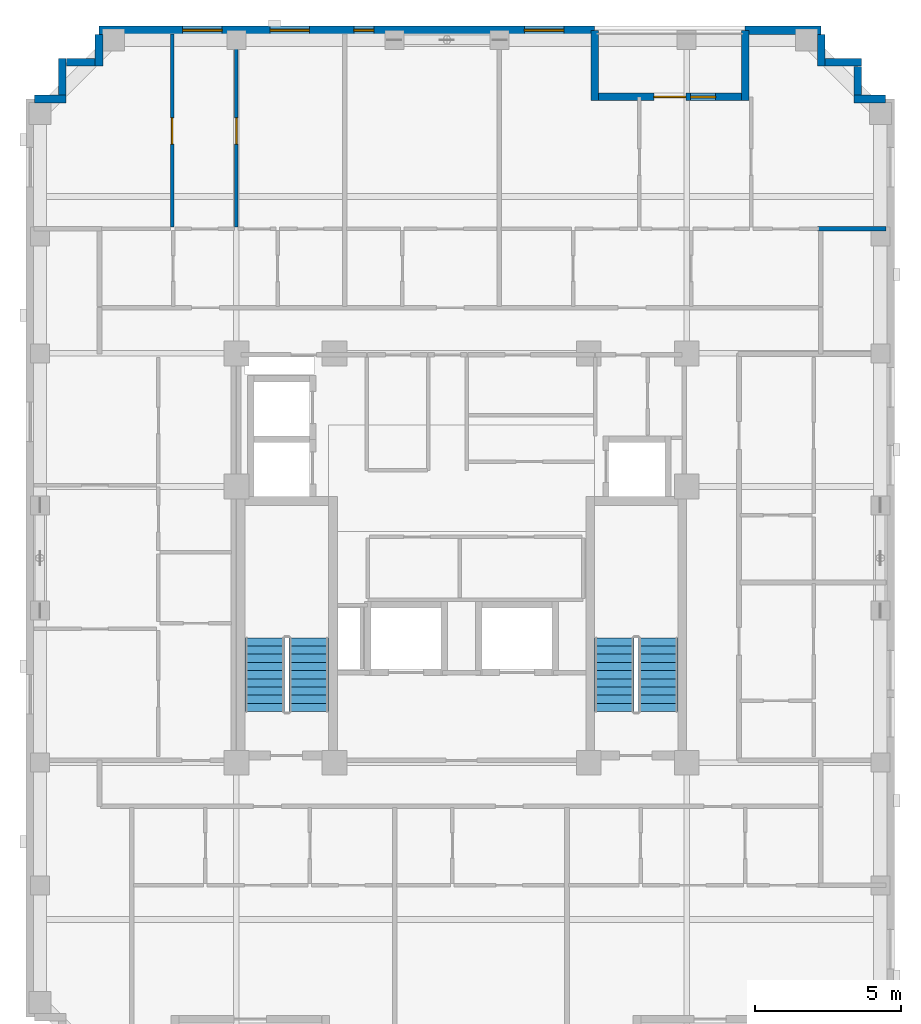
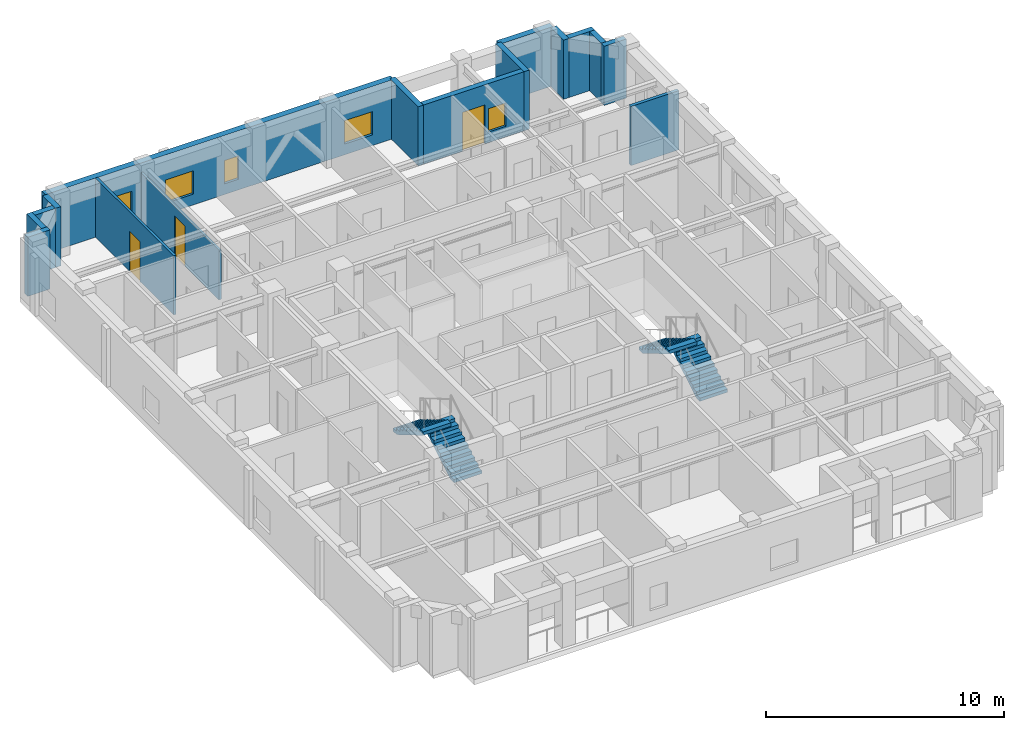
# One storey, part 7 of 11: 16 walls, 5 windows, 4 stair flights, 3 doors, 8 openings, 2 elements without a shape of their own.
"""IFC4 building model written with IfcOpenShell, lengths in metres."""

from ifc_helpers import new_model, si_unit, derived_unit, direction, frame, frame_2d, origin, place, context, subcontext, project, spatial, polyline, rectangle, outline, extrude, material, layer, layer_set, type_object, element, fill, aggregate, save


model = new_model("IFC4")

# Units and contexts
model_context = context("Model", 3, precision=1e-05, world=origin(), true_north=direction((0.0, 1.0)))
body_context = subcontext(model_context, "Body", "Model", "MODEL_VIEW")
ifc_project = project(units=[si_unit("LENGTHUNIT", "METRE"), si_unit("AREAUNIT", "SQUARE_METRE"), si_unit("VOLUMEUNIT", "CUBIC_METRE"), si_unit("PLANEANGLEUNIT", "RADIAN"), si_unit("MASSUNIT", "GRAM", prefix="KILO"), derived_unit("THERMALTRANSMITTANCEUNIT", [(si_unit("MASSUNIT", "GRAM", prefix="KILO"), 1), (si_unit("TIMEUNIT", "SECOND"), -3), (si_unit("THERMODYNAMICTEMPERATUREUNIT", "KELVIN"), -1)])], contexts=[model_context])

# Site, building, storey
site_placement = place(None, origin())
site = spatial("IfcSite", under=ifc_project, at=site_placement, CompositionType="ELEMENT")
building_placement = place(site_placement, origin())
building = spatial("IfcBuilding", under=site, at=building_placement, Name="Korrvale Station Residences", CompositionType="ELEMENT")
storey_placement = place(building_placement, frame((0.0, 0.0, 214.0)))
storey = spatial("IfcBuildingStorey", under=building, at=storey_placement, Name="L62", CompositionType="ELEMENT", Elevation=214.0)

# Wall
ifc_material_1 = material(Name="Precast concrete C45/55", Category="concrete")
ifc_layer_1 = layer(ifc_material_1, 0.260009765625, Name="Precast concrete C45/55")
ifc_layer_set_1 = layer_set([ifc_layer_1], Name="Precast concrete C45/55")
wall_type_1 = type_object("IfcWallType", Name="WAL-EXT-LOG260", PredefinedType="SOLIDWALL", material=ifc_layer_set_1)
wall_1_placement = place(storey_placement, frame((30.050048828125, 40.0400390625, 0.0), z_axis=(0.0, 0.0, 1.0), x_axis=(0.0, -1.0, 0.0)))
element("IfcWall", 1, at=wall_1_placement, inside=storey, type_object=wall_type_1, Name="L62 Recessed Loggia Wall BAL-L62-N1-L", PredefinedType="SOLIDWALL", context=body_context, shape_type="SweptSolid", body=[
    extrude(rectangle(XDim=2.400146484375, YDim=0.260009765625, at=frame_2d((1.2001953125, 0.0))), origin(), (0.0, 0.0, 1.0), 3.0400390625),
])

# Wall, openings, door, window
wall_2_placement = place(storey_placement, frame((30.18408203125, 37.77001953125, 0.0), z_axis=(0.0, 0.0, 1.0), x_axis=(1.0, 0.0, 0.0)))
wall_2 = element("IfcWall", 2, at=wall_2_placement, inside=storey, type_object=wall_type_1, Name="L62 Recessed Loggia Wall BAL-L62-N1-B", PredefinedType="SOLIDWALL", context=body_context, shape_type="SweptSolid", body=[
    extrude(rectangle(XDim=4.8818359375, YDim=0.260009765625, at=frame_2d((2.44091796875, 0.0))), origin(), (0.0, 0.0, 1.0), 3.0400390625),
])
opening_1_placement = place(wall_2_placement, frame((1.89111328125, 0.0, 0.0)))
opening_1 = element("IfcOpeningElement", 3, at=opening_1_placement, cuts=wall_2, Name="Opening BD-01", PredefinedType="OPENING", context=body_context, shape_type="SweptSolid", body=[
    extrude(rectangle(XDim=1.10009765625, YDim=2.0, at=frame_2d((0.550048828125, 1.0))), frame((0.0, 0.14013671875, 0.0), z_axis=(0.0, -1.0, 0.0), x_axis=(1.0, 0.0, 0.0)), (0.0, 0.0, 1.0), 0.280029296875),
])
opening_2_placement = place(wall_2_placement, frame((3.15087890625, 0.0, 0.550048828125)))
opening_2 = element("IfcOpeningElement", 4, at=opening_2_placement, cuts=wall_2, Name="Opening W-11", PredefinedType="OPENING", context=body_context, shape_type="SweptSolid", body=[
    extrude(rectangle(XDim=0.85009765625, YDim=1.199951171875, at=frame_2d((0.425048828125, 0.60009765625))), frame((0.0, 0.14013671875, 0.0), z_axis=(0.0, -1.0, 0.0), x_axis=(1.0, 0.0, 0.0)), (0.0, 0.0, 1.0), 0.280029296875),
])
ifc_material_2 = material(Name="Exterior thermally broken aluminium glazed balcony door", Category="aluminium")
door_type_1 = type_object("IfcDoorType", Name="DR-EXT-BAL", OperationType="NOTDEFINED", PredefinedType="DOOR", material=ifc_material_2)
door_1_placement = place(opening_1_placement, origin())
door_1 = element("IfcDoor", 5, at=door_1_placement, inside=storey, type_object=door_type_1, Name="L62 Loggia Balcony Door BAL-L62-N1", OperationType="SINGLE_SWING_LEFT", OverallHeight=2.0, OverallWidth=1.10009765625, PredefinedType="DOOR", context=body_context, shape_type="SweptSolid", body=[
    extrude(rectangle(XDim=1.10009765625, YDim=2.0, at=frame_2d((0.550048828125, 1.0))), frame((0.0, 0.02490234375, 0.0), z_axis=(0.0, -1.0, 0.0), x_axis=(1.0, 0.0, 0.0)), (0.0, 0.0, 1.0), 0.050048828125),
])
fill(opening_1, door_1)
ifc_material_3 = material(Name="Thermally broken aluminium frame with triple low-e glazing", Category="aluminium")
window_type_1 = type_object("IfcWindowType", Name="WIN-W11", PartitioningType="SINGLE_PANEL", PredefinedType="WINDOW", material=ifc_material_3)
window_1_placement = place(opening_2_placement, origin())
window_1 = element("IfcWindow", 6, at=window_1_placement, inside=storey, type_object=window_type_1, Name="L62 Punched Window 09", OverallHeight=1.199951171875, OverallWidth=0.85009765625, PartitioningType="SINGLE_PANEL", PredefinedType="WINDOW", context=body_context, shape_type="SweptSolid", body=[
    extrude(rectangle(XDim=0.85009765625, YDim=1.199951171875, at=frame_2d((0.425048828125, 0.60009765625))), frame((0.0, 0.030029296875, 0.0), z_axis=(0.0, -1.0, 0.0), x_axis=(1.0, 0.0, 0.0)), (0.0, 0.0, 1.0), 0.06005859375),
])
fill(opening_2, window_1)

# Walls
wall_3_placement = place(storey_placement, frame((35.199951171875, 37.639892578125, 0.0), z_axis=(0.0, 0.0, 1.0), x_axis=(0.0, 1.0, 0.0)))
element("IfcWall", 7, at=wall_3_placement, inside=storey, type_object=wall_type_1, Name="L62 Recessed Loggia Wall BAL-L62-N1-R", PredefinedType="SOLIDWALL", context=body_context, shape_type="SweptSolid", body=[
    extrude(rectangle(XDim=2.400146484375, YDim=0.260009765625, at=frame_2d((1.2001953125, 0.0))), origin(), (0.0, 0.0, 1.0), 3.0400390625),
])
wall_4_placement = place(storey_placement, frame((10.902099609375, 37.699951171875, 0.0), z_axis=(0.0, 0.0, 1.0), x_axis=(1.0, 0.0, 0.0)))
element("IfcWall", 8, at=wall_4_placement, inside=storey, type_object=wall_type_1, Name="L62 Serrated Corner Precast Step NW-1", PredefinedType="SOLIDWALL", context=body_context, shape_type="SweptSolid", body=[
    extrude(rectangle(XDim=1.077880859375, YDim=0.260009765625, at=frame_2d((0.5390625, 0.0))), origin(), (0.0, 0.0, 1.0), 3.0400390625),
])
wall_5_placement = place(storey_placement, frame((11.85009765625, 37.83203125, 0.0), z_axis=(0.0, 0.0, 1.0), x_axis=(0.0, 1.0, 0.0)))
element("IfcWall", 9, at=wall_5_placement, inside=storey, type_object=wall_type_1, Name="L62 Serrated Corner Precast Step NW-2", PredefinedType="SOLIDWALL", context=body_context, shape_type="SweptSolid", body=[
    extrude(rectangle(XDim=1.248046875, YDim=0.260009765625, at=frame_2d((0.6240234375, 0.0))), origin(), (0.0, 0.0, 1.0), 3.0400390625),
])
wall_6_placement = place(storey_placement, frame((11.98193359375, 38.949951171875, 0.0), z_axis=(0.0, 0.0, 1.0), x_axis=(1.0, 0.0, 0.0)))
element("IfcWall", 10, at=wall_6_placement, inside=storey, type_object=wall_type_1, Name="L62 Serrated Corner Precast Step NW-3", PredefinedType="SOLIDWALL", context=body_context, shape_type="SweptSolid", body=[
    extrude(rectangle(XDim=0.986083984375, YDim=0.260009765625, at=frame_2d((0.4931640625, 0.0))), origin(), (0.0, 0.0, 1.0), 3.0400390625),
])
for number, where, z_axis, x_axis, name in (
    (11, (13.10009765625, 38.820068359375, 0.0), (0.0, 0.0, 1.0), (0.0, 1.0, 0.0), "L62 Serrated Corner Precast Step NW-4"),
    (12, (37.800048828125, 39.89794921875, 0.0), (0.0, 0.0, 1.0), (0.0, -1.0, 0.0), "L62 Serrated Corner Precast Step NE-1"),
):
    element("IfcWall", number, at=place(storey_placement, frame(where, z_axis=z_axis, x_axis=x_axis)), inside=storey, type_object=wall_type_1, Name=name, PredefinedType="SOLIDWALL", context=body_context, shape_type="SweptSolid", body=[
        extrude(rectangle(XDim=1.077880859375, YDim=0.260009765625, at=frame_2d((0.5390625, 0.0))), origin(), (0.0, 0.0, 1.0), 3.0400390625),
    ])
wall_7_placement = place(storey_placement, frame((37.931884765625, 38.949951171875, 0.0), z_axis=(0.0, 0.0, 1.0), x_axis=(1.0, 0.0, 0.0)))
element("IfcWall", 13, at=wall_7_placement, inside=storey, type_object=wall_type_1, Name="L62 Serrated Corner Precast Step NE-2", PredefinedType="SOLIDWALL", context=body_context, shape_type="SweptSolid", body=[
    extrude(rectangle(XDim=1.248046875, YDim=0.260009765625, at=frame_2d((0.6240234375, 0.0))), origin(), (0.0, 0.0, 1.0), 3.0400390625),
])
wall_8_placement = place(storey_placement, frame((39.050048828125, 38.818115234375, 0.0), z_axis=(0.0, 0.0, 1.0), x_axis=(0.0, -1.0, 0.0)))
element("IfcWall", 14, at=wall_8_placement, inside=storey, type_object=wall_type_1, Name="L62 Serrated Corner Precast Step NE-3", PredefinedType="SOLIDWALL", context=body_context, shape_type="SweptSolid", body=[
    extrude(rectangle(XDim=0.986083984375, YDim=0.260009765625, at=frame_2d((0.4931640625, 0.0))), origin(), (0.0, 0.0, 1.0), 3.0400390625),
])
wall_9_placement = place(storey_placement, frame((38.919921875, 37.699951171875, 0.0), z_axis=(0.0, 0.0, 1.0), x_axis=(1.0, 0.0, 0.0)))
element("IfcWall", 15, at=wall_9_placement, inside=storey, type_object=wall_type_1, Name="L62 Serrated Corner Precast Step NE-4", PredefinedType="SOLIDWALL", context=body_context, shape_type="SweptSolid", body=[
    extrude(rectangle(XDim=1.078125, YDim=0.260009765625, at=frame_2d((0.5390625, 0.0))), origin(), (0.0, 0.0, 1.0), 3.0400390625),
])

# Wall, openings, windows
ifc_layer_2 = layer(ifc_material_1, 0.300048828125, Name="Precast concrete C45/55")
ifc_layer_set_2 = layer_set([ifc_layer_2], Name="Precast concrete C45/55")
wall_type_2 = type_object("IfcWallType", Name="WAL-EXT-PC300", PredefinedType="SOLIDWALL", material=ifc_layer_set_2)
wall_10_placement = place(storey_placement, frame((13.10009765625, 40.050048828125, 0.0), z_axis=(0.0, 0.0, 1.0), x_axis=(1.0, 0.0, 0.0)))
wall_10 = element("IfcWall", 16, at=wall_10_placement, inside=storey, type_object=wall_type_2, Name="L62 North Exterior Precast Wall 1", PredefinedType="SOLIDWALL", context=body_context, shape_type="SweptSolid", body=[
    extrude(rectangle(XDim=16.949951171875, YDim=0.300048828125, at=frame_2d((8.47509765625, 0.0))), origin(), (0.0, 0.0, 1.0), 3.0400390625),
])
opening_3_placement = place(wall_10_placement, frame((2.864990234375, 0.0, 0.550048828125)))
opening_3 = element("IfcOpeningElement", 17, at=opening_3_placement, cuts=wall_10, Name="Opening W-10", PredefinedType="OPENING", context=body_context, shape_type="SweptSolid", body=[
    extrude(rectangle(XDim=1.35009765625, YDim=1.199951171875, at=frame_2d((0.675048828125, 0.60009765625))), frame((0.0, 0.16015625, 0.0), z_axis=(0.0, -1.0, 0.0), x_axis=(1.0, 0.0, 0.0)), (0.0, 0.0, 1.0), 0.320068359375),
])
opening_4_placement = place(wall_10_placement, frame((5.85009765625, 0.0, 0.550048828125)))
opening_4 = element("IfcOpeningElement", 18, at=opening_4_placement, cuts=wall_10, Name="Opening W-10", PredefinedType="OPENING", context=body_context, shape_type="SweptSolid", body=[
    extrude(rectangle(XDim=1.35009765625, YDim=1.199951171875, at=frame_2d((0.675048828125, 0.60009765625))), frame((0.0, 0.16015625, 0.0), z_axis=(0.0, -1.0, 0.0), x_axis=(1.0, 0.0, 0.0)), (0.0, 0.0, 1.0), 0.320068359375),
])
opening_5_placement = place(wall_10_placement, frame((8.719970703125, 0.0, 0.550048828125)))
opening_5 = element("IfcOpeningElement", 19, at=opening_5_placement, cuts=wall_10, Name="Opening W-12", PredefinedType="OPENING", context=body_context, shape_type="SweptSolid", body=[
    extrude(rectangle(XDim=0.679931640625, YDim=1.199951171875, at=frame_2d((0.33984375, 0.60009765625))), frame((0.0, 0.16015625, 0.0), z_axis=(0.0, -1.0, 0.0), x_axis=(1.0, 0.0, 0.0)), (0.0, 0.0, 1.0), 0.320068359375),
])
opening_6_placement = place(wall_10_placement, frame((14.550048828125, 0.0, 0.550048828125)))
opening_6 = element("IfcOpeningElement", 20, at=opening_6_placement, cuts=wall_10, Name="Opening W-10", PredefinedType="OPENING", context=body_context, shape_type="SweptSolid", body=[
    extrude(rectangle(XDim=1.35009765625, YDim=1.199951171875, at=frame_2d((0.675048828125, 0.60009765625))), frame((0.0, 0.16015625, 0.0), z_axis=(0.0, -1.0, 0.0), x_axis=(1.0, 0.0, 0.0)), (0.0, 0.0, 1.0), 0.320068359375),
])
window_type_2 = type_object("IfcWindowType", Name="WIN-W10", PartitioningType="SINGLE_PANEL", PredefinedType="WINDOW", material=ifc_material_3)
window_2_placement = place(opening_3_placement, origin())
window_2 = element("IfcWindow", 21, at=window_2_placement, inside=storey, type_object=window_type_2, Name="L62 Punched Window 05", OverallHeight=1.199951171875, OverallWidth=1.35009765625, PartitioningType="SINGLE_PANEL", PredefinedType="WINDOW", context=body_context, shape_type="SweptSolid", body=[
    extrude(rectangle(XDim=1.35009765625, YDim=1.199951171875, at=frame_2d((0.675048828125, 0.60009765625))), frame((0.0, 0.030029296875, 0.0), z_axis=(0.0, -1.0, 0.0), x_axis=(1.0, 0.0, 0.0)), (0.0, 0.0, 1.0), 0.06005859375),
])
fill(opening_3, window_2)
window_3_placement = place(opening_4_placement, origin())
window_3 = element("IfcWindow", 22, at=window_3_placement, inside=storey, type_object=window_type_2, Name="L62 Punched Window 06", OverallHeight=1.199951171875, OverallWidth=1.35009765625, PartitioningType="SINGLE_PANEL", PredefinedType="WINDOW", context=body_context, shape_type="SweptSolid", body=[
    extrude(rectangle(XDim=1.35009765625, YDim=1.199951171875, at=frame_2d((0.675048828125, 0.60009765625))), frame((0.0, 0.030029296875, 0.0), z_axis=(0.0, -1.0, 0.0), x_axis=(1.0, 0.0, 0.0)), (0.0, 0.0, 1.0), 0.06005859375),
])
fill(opening_4, window_3)
window_4_placement = place(opening_6_placement, origin())
window_4 = element("IfcWindow", 23, at=window_4_placement, inside=storey, type_object=window_type_2, Name="L62 Punched Window 08", OverallHeight=1.199951171875, OverallWidth=1.35009765625, PartitioningType="SINGLE_PANEL", PredefinedType="WINDOW", context=body_context, shape_type="SweptSolid", body=[
    extrude(rectangle(XDim=1.35009765625, YDim=1.199951171875, at=frame_2d((0.675048828125, 0.60009765625))), frame((0.0, 0.030029296875, 0.0), z_axis=(0.0, -1.0, 0.0), x_axis=(1.0, 0.0, 0.0)), (0.0, 0.0, 1.0), 0.06005859375),
])
fill(opening_6, window_4)
window_type_3 = type_object("IfcWindowType", Name="WIN-W12", PartitioningType="SINGLE_PANEL", PredefinedType="WINDOW", material=ifc_material_3)
window_5_placement = place(opening_5_placement, origin())
window_5 = element("IfcWindow", 24, at=window_5_placement, inside=storey, type_object=window_type_3, Name="L62 Punched Window 07", OverallHeight=1.199951171875, OverallWidth=0.679931640625, PartitioningType="SINGLE_PANEL", PredefinedType="WINDOW", context=body_context, shape_type="SweptSolid", body=[
    extrude(rectangle(XDim=0.679931640625, YDim=1.199951171875, at=frame_2d((0.33984375, 0.60009765625))), frame((0.0, 0.030029296875, 0.0), z_axis=(0.0, -1.0, 0.0), x_axis=(1.0, 0.0, 0.0)), (0.0, 0.0, 1.0), 0.06005859375),
])
fill(opening_5, window_5)

# Wall
wall_11_placement = place(storey_placement, frame((35.199951171875, 40.050048828125, 0.0), z_axis=(0.0, 0.0, 1.0), x_axis=(1.0, 0.0, 0.0)))
element("IfcWall", 25, at=wall_11_placement, inside=storey, type_object=wall_type_2, Name="L62 North Exterior Precast Wall 2", PredefinedType="SOLIDWALL", context=body_context, shape_type="SweptSolid", body=[
    extrude(rectangle(XDim=2.60009765625, YDim=0.300048828125, at=frame_2d((1.300048828125, 0.0))), origin(), (0.0, 0.0, 1.0), 3.0400390625),
])

# Wall, opening, door
ifc_material_4 = material(Name="Acoustic steel-stud gypsum board partition", Category="steel")
ifc_layer_3 = layer(ifc_material_4, 0.1201171875, Name="Acoustic steel-stud gypsum board partition")
ifc_layer_set_3 = layer_set([ifc_layer_3], Name="Acoustic steel-stud gypsum board partition")
wall_type_3 = type_object("IfcWallType", Name="WAL-PART-125", PredefinedType="PARTITIONING", material=ifc_layer_set_3)
wall_12_placement = place(storey_placement, frame((15.60107421875, 33.320068359375, 0.0), z_axis=(0.0, 0.0, 1.0), x_axis=(0.0, 1.0, 0.0)))
wall_12 = element("IfcWall", 26, at=wall_12_placement, inside=storey, type_object=wall_type_3, Name="L62 Suite Partition U04-V34", PredefinedType="PARTITIONING", context=body_context, shape_type="SweptSolid", body=[
    extrude(rectangle(XDim=6.599853515625, YDim=0.1201171875, at=frame_2d((3.2998046875, 0.0))), origin(), (0.0, 0.0, 1.0), 3.0400390625),
])
opening_7_placement = place(wall_12_placement, frame((2.8349609375, 0.0, 0.0)))
opening_7 = element("IfcOpeningElement", 27, at=opening_7_placement, cuts=wall_12, Name="Opening DI-900", PredefinedType="OPENING", context=body_context, shape_type="SweptSolid", body=[
    extrude(rectangle(XDim=0.89990234375, YDim=2.050048828125, at=frame_2d((0.449951171875, 1.02490234375))), frame((0.0, 0.070068359375, 0.0), z_axis=(0.0, -1.0, 0.0), x_axis=(1.0, 0.0, 0.0)), (0.0, 0.0, 1.0), 0.14013671875),
])
ifc_material_5 = material(Name="Painted solid-core timber interior room door", Category="wood")
door_type_2 = type_object("IfcDoorType", Name="DR-INT-900", OperationType="NOTDEFINED", PredefinedType="DOOR", material=ifc_material_5)
door_2_placement = place(opening_7_placement, origin())
door_2 = element("IfcDoor", 28, at=door_2_placement, inside=storey, type_object=door_type_2, Name="L62 Apartment 2BR L62-U04 Living and Dining Room Door", OperationType="SINGLE_SWING_RIGHT", OverallHeight=2.050048828125, OverallWidth=0.89990234375, PredefinedType="DOOR", context=body_context, shape_type="SweptSolid", body=[
    extrude(rectangle(XDim=0.89990234375, YDim=2.050048828125, at=frame_2d((0.449951171875, 1.02490234375))), frame((0.0, 0.02490234375, 0.0), z_axis=(0.0, -1.0, 0.0), x_axis=(1.0, 0.0, 0.0)), (0.0, 0.0, 1.0), 0.050048828125),
])
fill(opening_7, door_2)

wall_13_placement = place(storey_placement, frame((17.800048828125, 33.320068359375, 0.0), z_axis=(0.0, 0.0, 1.0), x_axis=(0.0, 1.0, 0.0)))
wall_13 = element("IfcWall", 29, at=wall_13_placement, inside=storey, type_object=wall_type_3, Name="L62 Suite Partition U04-V45", PredefinedType="PARTITIONING", context=body_context, shape_type="SweptSolid", body=[
    extrude(rectangle(XDim=6.599853515625, YDim=0.1201171875, at=frame_2d((3.2998046875, 0.0))), origin(), (0.0, 0.0, 1.0), 2.555908203125),
])
opening_8_placement = place(wall_13_placement, frame((2.8349609375, 0.0, 0.0)))
opening_8 = element("IfcOpeningElement", 30, at=opening_8_placement, cuts=wall_13, Name="Opening DI-900", PredefinedType="OPENING", context=body_context, shape_type="SweptSolid", body=[
    extrude(rectangle(XDim=0.89990234375, YDim=2.050048828125, at=frame_2d((0.449951171875, 1.02490234375))), frame((0.0, 0.070068359375, 0.0), z_axis=(0.0, -1.0, 0.0), x_axis=(1.0, 0.0, 0.0)), (0.0, 0.0, 1.0), 0.14013671875),
])
door_3_placement = place(opening_8_placement, origin())
door_3 = element("IfcDoor", 31, at=door_3_placement, inside=storey, type_object=door_type_2, Name="L62 Apartment 2BR L62-U04 Bedroom 1 Door", OperationType="SINGLE_SWING_LEFT", OverallHeight=2.050048828125, OverallWidth=0.89990234375, PredefinedType="DOOR", context=body_context, shape_type="SweptSolid", body=[
    extrude(rectangle(XDim=0.89990234375, YDim=2.050048828125, at=frame_2d((0.449951171875, 1.02490234375))), frame((0.0, 0.02490234375, 0.0), z_axis=(0.0, -1.0, 0.0), x_axis=(1.0, 0.0, 0.0)), (0.0, 0.0, 1.0), 0.050048828125),
])
fill(opening_8, door_3)

# Wall
ifc_material_6 = material(Name="Fire-rated twin-stud gypsum and mineral wool shaftwall assembly", Category="gypsum")
ifc_layer_4 = layer(ifc_material_6, 0.159912109375, Name="Fire-rated twin-stud gypsum and mineral wool shaftwall assembly")
ifc_layer_set_4 = layer_set([ifc_layer_4], Name="Fire-rated twin-stud gypsum and mineral wool shaftwall assembly")
wall_type_4 = type_object("IfcWallType", Name="WAL-PART-200", PredefinedType="PARTITIONING", material=ifc_layer_set_4)
wall_14_placement = place(storey_placement, frame((37.679931640625, 33.260009765625, 0.0), z_axis=(0.0, 0.0, 1.0), x_axis=(1.0, 0.0, 0.0)))
element("IfcWall", 32, at=wall_14_placement, inside=storey, type_object=wall_type_4, Name="L62 Corner Step Wall U06-R", PredefinedType="PARTITIONING", context=body_context, shape_type="SweptSolid", body=[
    extrude(rectangle(XDim=2.340087890625, YDim=0.159912109375, at=frame_2d((1.169921875, 0.0))), origin(), (0.0, 0.0, 1.0), 3.0400390625),
])

# Stair, stair flights
ifc_material_7 = material(Name="Concrete C50/60", Category="concrete")
stair_type = type_object("IfcStairType", Name="STR-DL-1350-20R-1650", PredefinedType="HALF_TURN_STAIR", material=ifc_material_7)
stair_1_placement = place(storey_placement, origin())
stair_1 = element("IfcStair", 33, at=stair_1_placement, inside=storey, type_object=stair_type, Name="L62 Exit Stair 1", PredefinedType="HALF_TURN_STAIR")
stair_flight_type = type_object("IfcStairFlightType", Name="FLT-DL-1350-20R-1650", PredefinedType="STRAIGHT", material=ifc_material_7)
stair_flight_1_placement = place(storey_placement, frame((20.27490234375, 16.75, 0.0), z_axis=(0.0, 0.0, 1.0), x_axis=(0.0, 1.0, 0.0)))
stair_flight_1 = element("IfcStairFlight", 34, at=stair_flight_1_placement, type_object=stair_flight_type, Name="ST-1 flight 1", NumberOfRisers=10, NumberOfTreads=9, PredefinedType="STRAIGHT", RiserHeight=0.165, TreadLength=0.28, context=body_context, shape_type="SweptSolid", body=[
    extrude(outline(polyline([(0.0, 0.0), (0.0, 0.1650390625), (0.280029296875, 0.1650390625), (0.280029296875, 0.330078125), (0.56005859375, 0.330078125), (0.56005859375, 0.4951171875), (0.840087890625, 0.4951171875), (0.840087890625, 0.659912109375), (1.1201171875, 0.659912109375), (1.1201171875, 0.824951171875), (1.39990234375, 0.824951171875), (1.39990234375, 0.989990234375), (1.679931640625, 0.989990234375), (1.679931640625, 1.155029296875), (1.9599609375, 1.155029296875), (1.9599609375, 1.320068359375), (2.239990234375, 1.320068359375), (2.239990234375, 1.485107421875), (2.52001953125, 1.485107421875), (2.52001953125, 1.64990234375), (2.52001953125, 1.31103515625), (0.295166015625, 0.0), (0.0, 0.0)])), frame((0.0, 0.675048828125, 0.0), z_axis=(0.0, -1.0, 0.0), x_axis=(1.0, 0.0, 0.0)), (0.0, 0.0, 1.0), 1.35009765625),
])
stair_flight_2_placement = place(storey_placement, frame((18.77490234375, 19.27001953125, 1.64990234375), z_axis=(0.0, 0.0, 1.0), x_axis=(0.0, -1.0, 0.0)))
stair_flight_2 = element("IfcStairFlight", 35, at=stair_flight_2_placement, type_object=stair_flight_type, Name="ST-1 flight 2", NumberOfRisers=10, NumberOfTreads=9, PredefinedType="STRAIGHT", RiserHeight=0.165, TreadLength=0.28, context=body_context, shape_type="SweptSolid", body=[
    extrude(outline(polyline([(0.0, 0.0), (0.0, 0.1650390625), (0.280029296875, 0.1650390625), (0.280029296875, 0.330078125), (0.56005859375, 0.330078125), (0.56005859375, 0.4951171875), (0.840087890625, 0.4951171875), (0.840087890625, 0.659912109375), (1.1201171875, 0.659912109375), (1.1201171875, 0.824951171875), (1.39990234375, 0.824951171875), (1.39990234375, 0.989990234375), (1.679931640625, 0.989990234375), (1.679931640625, 1.155029296875), (1.9599609375, 1.155029296875), (1.9599609375, 1.320068359375), (2.239990234375, 1.320068359375), (2.239990234375, 1.485107421875), (2.52001953125, 1.485107421875), (2.52001953125, 1.64990234375), (2.52001953125, 1.31103515625), (0.295166015625, 0.0), (0.0, 0.0)])), frame((0.0, 0.675048828125, 0.0), z_axis=(0.0, -1.0, 0.0), x_axis=(1.0, 0.0, 0.0)), (0.0, 0.0, 1.0), 1.35009765625),
])
aggregate(stair_1, [stair_flight_1, stair_flight_2])

stair_2_placement = place(storey_placement, origin())
stair_2 = element("IfcStair", 36, at=stair_2_placement, inside=storey, type_object=stair_type, Name="L62 Exit Stair 2", PredefinedType="HALF_TURN_STAIR")
stair_flight_3_placement = place(storey_placement, frame((32.22509765625, 16.75, 0.0), z_axis=(0.0, 0.0, 1.0), x_axis=(0.0, 1.0, 0.0)))
stair_flight_3 = element("IfcStairFlight", 37, at=stair_flight_3_placement, type_object=stair_flight_type, Name="ST-2 flight 1", NumberOfRisers=10, NumberOfTreads=9, PredefinedType="STRAIGHT", RiserHeight=0.165, TreadLength=0.28, context=body_context, shape_type="SweptSolid", body=[
    extrude(outline(polyline([(0.0, 0.0), (0.0, 0.1650390625), (0.280029296875, 0.1650390625), (0.280029296875, 0.330078125), (0.56005859375, 0.330078125), (0.56005859375, 0.4951171875), (0.840087890625, 0.4951171875), (0.840087890625, 0.659912109375), (1.1201171875, 0.659912109375), (1.1201171875, 0.824951171875), (1.39990234375, 0.824951171875), (1.39990234375, 0.989990234375), (1.679931640625, 0.989990234375), (1.679931640625, 1.155029296875), (1.9599609375, 1.155029296875), (1.9599609375, 1.320068359375), (2.239990234375, 1.320068359375), (2.239990234375, 1.485107421875), (2.52001953125, 1.485107421875), (2.52001953125, 1.64990234375), (2.52001953125, 1.31103515625), (0.295166015625, 0.0), (0.0, 0.0)])), frame((0.0, 0.675048828125, 0.0), z_axis=(0.0, -1.0, 0.0), x_axis=(1.0, 0.0, 0.0)), (0.0, 0.0, 1.0), 1.35009765625),
])
stair_flight_4_placement = place(storey_placement, frame((30.72509765625, 19.27001953125, 1.64990234375), z_axis=(0.0, 0.0, 1.0), x_axis=(0.0, -1.0, 0.0)))
stair_flight_4 = element("IfcStairFlight", 38, at=stair_flight_4_placement, type_object=stair_flight_type, Name="ST-2 flight 2", NumberOfRisers=10, NumberOfTreads=9, PredefinedType="STRAIGHT", RiserHeight=0.165, TreadLength=0.28, context=body_context, shape_type="SweptSolid", body=[
    extrude(outline(polyline([(0.0, 0.0), (0.0, 0.1650390625), (0.280029296875, 0.1650390625), (0.280029296875, 0.330078125), (0.56005859375, 0.330078125), (0.56005859375, 0.4951171875), (0.840087890625, 0.4951171875), (0.840087890625, 0.659912109375), (1.1201171875, 0.659912109375), (1.1201171875, 0.824951171875), (1.39990234375, 0.824951171875), (1.39990234375, 0.989990234375), (1.679931640625, 0.989990234375), (1.679931640625, 1.155029296875), (1.9599609375, 1.155029296875), (1.9599609375, 1.320068359375), (2.239990234375, 1.320068359375), (2.239990234375, 1.485107421875), (2.52001953125, 1.485107421875), (2.52001953125, 1.64990234375), (2.52001953125, 1.31103515625), (0.295166015625, 0.0), (0.0, 0.0)])), frame((0.0, 0.675048828125, 0.0), z_axis=(0.0, -1.0, 0.0), x_axis=(1.0, 0.0, 0.0)), (0.0, 0.0, 1.0), 1.35009765625),
])
aggregate(stair_2, [stair_flight_3, stair_flight_4])

save(model, "model.ifc")
